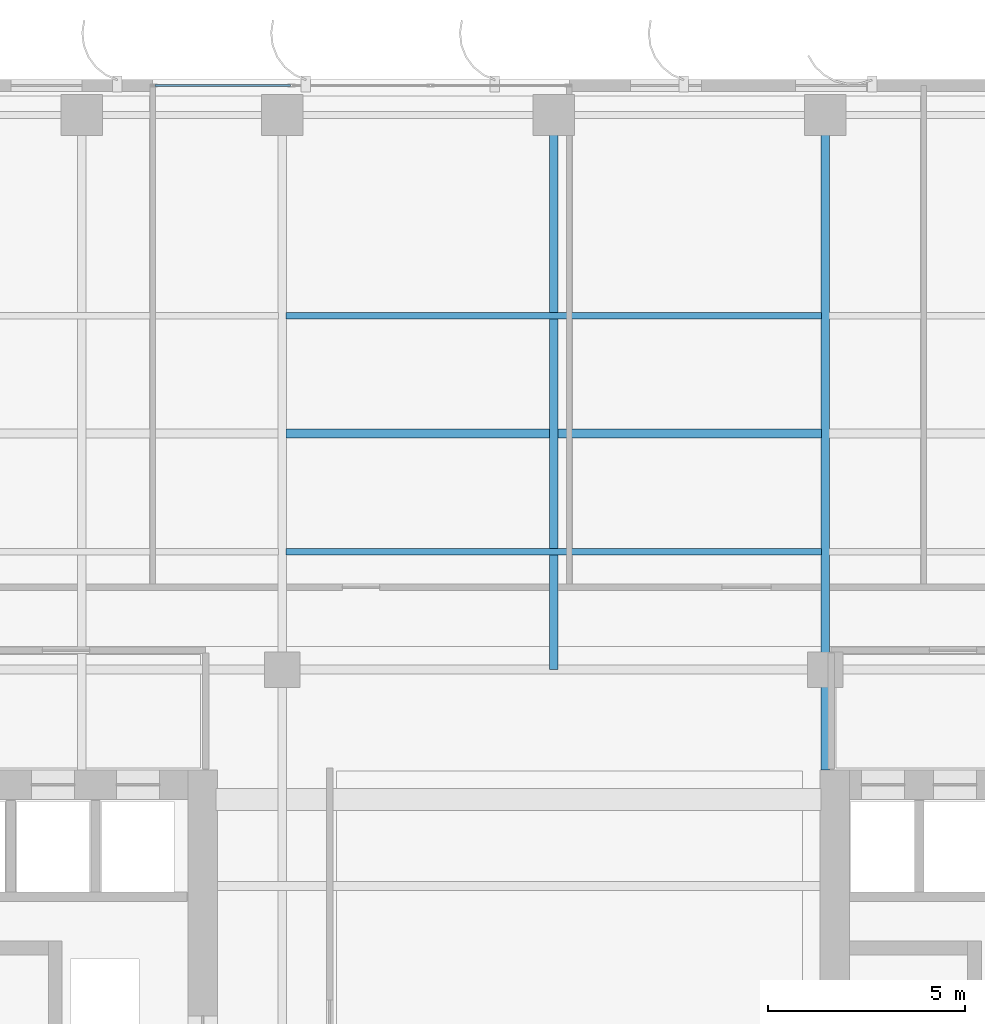
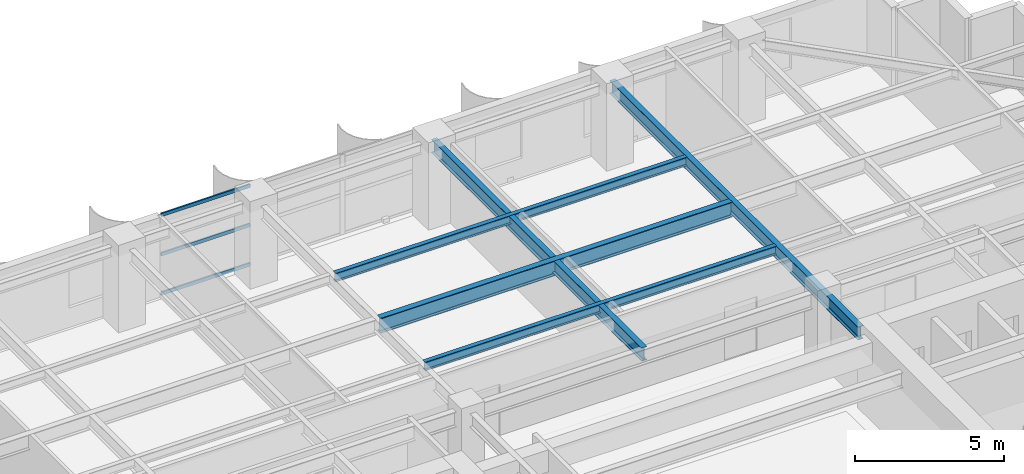
# One storey, part 17 of 28: 5 beams, 3 members, 1 element without a shape of its own.
"""IFC4 building model written with IfcOpenShell, lengths in metres."""

import ifcopenshell
import ifcopenshell.guid

model = None  # the IFC model being written
_history = None  # IfcOwnerHistory: only IFC2X3 demands one
_inside = {}  # id of a spatial element -> (the spatial element, [elements in it])
_under = {}  # id of a project, library or spatial element -> (it, [spatial elements below it])
_declared = {}  # id of a project -> (the project, [libraries it declares])
_typed = {}  # id of a type object -> (the type object, [elements of that type])
_made_of = {}  # id of a material, layer set ... -> (it, [elements and type objects made of it])


def new_model(schema):
    """Start an empty IFC model of exactly this schema.

    Asked for "IFC4X3", IfcOpenShell would pick the latest addendum, in which some entities
    have other attributes; the version numbers below select the first issue.
    IFC2X3 requires an IfcOwnerHistory on every rooted entity: one is made here for all.
    """
    global model, _history
    if schema == "IFC4X3":
        model = ifcopenshell.file(schema_version=(4, 3, 0, 0))
    else:
        model = ifcopenshell.file(schema=schema)
    _inside.clear()
    _under.clear()
    _declared.clear()
    _typed.clear()
    _made_of.clear()
    _history = None
    if model.schema == "IFC2X3":
        org = make("IfcOrganization", Name="unknown")
        user = make(
            "IfcPersonAndOrganization",
            ThePerson=make("IfcPerson", FamilyName="unknown"),
            TheOrganization=org,
        )
        app = make(
            "IfcApplication",
            ApplicationDeveloper=org,
            Version="unknown",
            ApplicationFullName="unknown",
            ApplicationIdentifier="unknown",
        )
        _history = make(
            "IfcOwnerHistory",
            OwningUser=user,
            OwningApplication=app,
            ChangeAction="ADDED",
            CreationDate=0,
        )
    return model


def make(cls, **values):
    """One entity of the class cls with the attributes given. An attribute that is None is left unset."""
    return model.create_entity(
        cls, **{name: value for name, value in values.items() if value is not None}
    )


def rooted(cls, **values):
    """An entity with a GlobalId (a new one), such as an element, a storey or a relation."""
    return make(cls, GlobalId=ifcopenshell.guid.new(), OwnerHistory=_history, **values)


def si_unit(unit_type, name, prefix=None):
    """IfcSIUnit, for example si_unit("LENGTHUNIT", "METRE", prefix="MILLI")."""
    return make("IfcSIUnit", UnitType=unit_type, Prefix=prefix, Name=name)


def assignment(units):
    """IfcUnitAssignment: the units of a project."""
    return None if units is None else make("IfcUnitAssignment", Units=units)


def point(xyz):
    """IfcCartesianPoint."""
    return None if xyz is None else make("IfcCartesianPoint", Coordinates=xyz)


def direction(xyz):
    """IfcDirection."""
    return None if xyz is None else make("IfcDirection", DirectionRatios=xyz)


def frame(location, z_axis=None, x_axis=None):
    """IfcAxis2Placement3D, a coordinate frame: its origin and axes. An axis left out is left unset."""
    return make(
        "IfcAxis2Placement3D",
        Location=point(location),
        Axis=direction(z_axis),
        RefDirection=direction(x_axis),
    )


def frame_2d(location, x_axis=None):
    """IfcAxis2Placement2D, a coordinate frame in the plane: its origin and x axis."""
    return make(
        "IfcAxis2Placement2D", Location=point(location), RefDirection=direction(x_axis)
    )


def origin():
    """The frame at (0, 0, 0) with its axes left unset."""
    return frame((0.0, 0.0, 0.0))


def origin_2d():
    """The frame at (0, 0) in the plane with its x axis left unset."""
    return frame_2d((0.0, 0.0))


def place(relative_to, where):
    """IfcLocalPlacement: puts the frame where relative to a parent placement (None: the world)."""
    return make(
        "IfcLocalPlacement", PlacementRelTo=relative_to, RelativePlacement=where
    )


def context(
    kind, dimensions, precision=None, world=None, true_north=None, identifier=None
):
    """IfcGeometricRepresentationContext, for example the 3D "Model" context."""
    return make(
        "IfcGeometricRepresentationContext",
        ContextIdentifier=identifier,
        ContextType=kind,
        CoordinateSpaceDimension=dimensions,
        Precision=precision,
        WorldCoordinateSystem=world,
        TrueNorth=true_north,
    )


def subcontext(parent, identifier, kind, view, scale=None):
    """IfcGeometricRepresentationSubContext, for example "Body" below "Model"."""
    return make(
        "IfcGeometricRepresentationSubContext",
        ContextIdentifier=identifier,
        ContextType=kind,
        ParentContext=parent,
        TargetScale=scale,
        TargetView=view,
    )


def project(units=None, contexts=None):
    """IfcProject with its units and contexts."""
    return rooted(
        "IfcProject",
        Name="project",
        RepresentationContexts=contexts,
        UnitsInContext=assignment(units),
    )


def spatial(cls, under=None, at=None, **own):
    """A site, building, storey or space (cls), placed at a placement, below another one or the project."""
    s = rooted(cls, ObjectPlacement=at, **own)
    if under is not None:
        _under.setdefault(under.id(), (under, []))[1].append(s)
    return s


def profile(cls, at=None, kind="AREA", **sizes):
    """A parametric profile (cls). Its sizes go by their IFC names, for example OverallWidth=200.0."""
    return make(cls, ProfileType=kind, Position=at, **sizes)


def hollow_rectangle(**sizes):
    """IfcRectangleHollowProfileDef."""
    return profile("IfcRectangleHollowProfileDef", **sizes)


def i_section(**sizes):
    """IfcIShapeProfileDef."""
    return profile("IfcIShapeProfileDef", **sizes)


def extrude(swept, where, along, depth):
    """IfcExtrudedAreaSolid: the profile swept, set in the frame where, extruded along a direction by depth."""
    return make(
        "IfcExtrudedAreaSolid",
        SweptArea=swept,
        Position=where,
        ExtrudedDirection=direction(along),
        Depth=depth,
    )


def shape(context_of_items, identifier, shape_type, items):
    """IfcShapeRepresentation: the items that make up one representation, for example the "Body"."""
    return make(
        "IfcShapeRepresentation",
        ContextOfItems=context_of_items,
        RepresentationIdentifier=identifier,
        RepresentationType=shape_type,
        Items=items,
    )


def source(mapping_origin, context_of_items, identifier, shape_type, items):
    """IfcRepresentationMap: a shape defined once, which mapped items show again and again."""
    return make(
        "IfcRepresentationMap",
        MappingOrigin=mapping_origin,
        MappedRepresentation=shape(context_of_items, identifier, shape_type, items),
    )


def transform(
    local_origin,
    x_axis=None,
    y_axis=None,
    z_axis=None,
    scale=None,
    scale2=None,
    scale3=None,
    uniform=True,
):
    """IfcCartesianTransformationOperator3D, or its non-uniform kind. x_axis, y_axis, z_axis: its Axis1, 2, 3."""
    if uniform:
        return make(
            "IfcCartesianTransformationOperator3D",
            Axis1=direction(x_axis),
            Axis2=direction(y_axis),
            LocalOrigin=point(local_origin),
            Scale=scale,
            Axis3=direction(z_axis),
        )
    return make(
        "IfcCartesianTransformationOperator3DnonUniform",
        Axis1=direction(x_axis),
        Axis2=direction(y_axis),
        LocalOrigin=point(local_origin),
        Scale=scale,
        Axis3=direction(z_axis),
        Scale2=scale2,
        Scale3=scale3,
    )


def mapped(mapping_source, mapping_target):
    """IfcMappedItem: shows the shape of a source again, moved by a transform."""
    return make(
        "IfcMappedItem", MappingSource=mapping_source, MappingTarget=mapping_target
    )


def material(Name=None, Category=None):
    """IfcMaterial."""
    return make("IfcMaterial", Name=Name, Category=Category)


def layer(
    of_material, thickness, ventilated=None, Name=None, Category=None, Priority=None
):
    """IfcMaterialLayer: one layer of a wall or slab, of a material (None: an air gap)."""
    return make(
        "IfcMaterialLayer",
        Material=of_material,
        LayerThickness=thickness,
        IsVentilated=ventilated,
        Name=Name,
        Category=Category,
        Priority=Priority,
    )


def layer_set(layers, Name=None):
    """IfcMaterialLayerSet."""
    return make("IfcMaterialLayerSet", MaterialLayers=layers, LayerSetName=Name)


def material_profile(
    of_material, cross_section, Name=None, Category=None, Priority=None
):
    """IfcMaterialProfile: a cross section and its material."""
    return make(
        "IfcMaterialProfile",
        Name=Name,
        Material=of_material,
        Profile=cross_section,
        Priority=Priority,
        Category=Category,
    )


def profile_set(profiles, Name=None, composite=None):
    """IfcMaterialProfileSet."""
    return make(
        "IfcMaterialProfileSet",
        Name=Name,
        MaterialProfiles=profiles,
        CompositeProfile=composite,
    )


def made_of(thing, what):
    """Note that an element or type object is made of a material, layer set ...; save() writes the relation."""
    if what is not None:
        _made_of.setdefault(what.id(), (what, []))[1].append(thing)
    return thing


def type_object(cls, material=None, **own):
    """A type object (cls), such as IfcWallType, which elements share."""
    return made_of(rooted(cls, **own), material)


def element(
    cls,
    number,
    at=None,
    inside=None,
    cuts=None,
    type_object=None,
    material=None,
    context=None,
    identifier="Body",
    shape_type=None,
    held_by="IfcProductDefinitionShape",
    body=None,
    shapes=None,
    **own,
):
    """One element of the class cls, such as IfcWall. Its Tag is "e" and its number.

    at: its placement. inside: the storey or other place that contains it. cuts: it is an
    opening in that element (IfcRelVoidsElement). A single representation is given by context,
    identifier, shape_type and body (its items); several are given by shapes. held_by: the class
    of the entity that holds the representations. save() writes the other relations.
    """
    e = rooted(cls, Tag="e%d" % number, ObjectPlacement=at, **own)
    if body is not None:
        shapes = [shape(context, identifier, shape_type, body)]
    if shapes is not None:
        e.Representation = make(held_by, Representations=shapes)
    if inside is not None:
        _inside.setdefault(inside.id(), (inside, []))[1].append(e)
    if cuts is not None:
        rooted(
            "IfcRelVoidsElement", RelatingBuildingElement=cuts, RelatedOpeningElement=e
        )
    if type_object is not None:
        _typed.setdefault(type_object.id(), (type_object, []))[1].append(e)
    return made_of(e, material)


def aggregate(whole, parts):
    """IfcRelAggregates: a whole, such as a stair, and the parts it consists of."""
    return rooted("IfcRelAggregates", RelatingObject=whole, RelatedObjects=parts)


def save(model, path):
    """Write the relations noted so far, then the file.

    IfcRelAggregates (storeys below a building ...), IfcRelContainedInSpatialStructure (elements
    in a storey), IfcRelDefinesByType, IfcRelAssociatesMaterial and IfcRelDeclares: one each for
    every whole, place, type object, material and project.
    """
    for whole, parts in _under.values():
        aggregate(whole, parts)
    for where, things in _inside.values():
        rooted(
            "IfcRelContainedInSpatialStructure",
            RelatedElements=things,
            RelatingStructure=where,
        )
    for kind, things in _typed.values():
        rooted("IfcRelDefinesByType", RelatedObjects=things, RelatingType=kind)
    for what, things in _made_of.values():
        rooted("IfcRelAssociatesMaterial", RelatedObjects=things, RelatingMaterial=what)
    for by, libraries in _declared.values():
        rooted("IfcRelDeclares", RelatingContext=by, RelatedDefinitions=libraries)
    model.write(path)


model = new_model("IFC4")

# Units and contexts
model_context = context("Model", 3, precision=1e-05, world=origin(), true_north=direction((0.0, 1.0)))
body_context = subcontext(model_context, "Body", "Model", "MODEL_VIEW")
ifc_project = project(units=[si_unit("LENGTHUNIT", "METRE"), si_unit("AREAUNIT", "SQUARE_METRE"), si_unit("VOLUMEUNIT", "CUBIC_METRE"), si_unit("PLANEANGLEUNIT", "RADIAN"), si_unit("MASSUNIT", "GRAM", prefix="KILO")], contexts=[model_context])

# Site, building, storey
site_placement = place(None, origin())
site = spatial("IfcSite", under=ifc_project, at=site_placement, CompositionType="ELEMENT")
building_placement = place(site_placement, origin())
building = spatial("IfcBuilding", under=site, at=building_placement, Name="Khoralis Quay Care Tower", CompositionType="ELEMENT")
storey_placement = place(building_placement, frame((0.0, 0.0, 144.89990234375)))
storey = spatial("IfcBuildingStorey", under=building, at=storey_placement, Name="L38", CompositionType="ELEMENT", Elevation=144.89990234375)

# Beams
ifc_material_1 = material(Name="Steel S355", Category="steel")
ifc_material_profile_1 = material_profile(ifc_material_1, i_section(OverallWidth=0.22998046875, OverallDepth=0.616943359375, WebThickness=0.01318359375, FlangeThickness=0.022216796875, FilletRadius=0.01806640625, at=origin_2d()), Name="Steel S355")
ifc_profile_set_1 = profile_set([ifc_material_profile_1], Name="Steel S355")
beam_type_1 = type_object("IfcBeamType", Name="BM-W610X140", PredefinedType="BEAM", material=ifc_profile_set_1)
shared_shape_1 = source(origin(), body_context, "Body", "SweptSolid", [
    extrude(i_section(OverallWidth=0.22998046875, OverallDepth=0.616943359375, WebThickness=0.01318359375, FlangeThickness=0.022216796875, FilletRadius=0.01806640625, at=origin_2d()), origin(), (0.0, 0.0, 1.0), 13.61181640625),
])
beam_1_placement = place(storey_placement, frame((17.194091796875, 36.0, 2.9716796875), z_axis=(1.0, 0.0, 0.0), x_axis=(0.0, 1.0, 0.0)))
element("IfcBeam", 1, at=beam_1_placement, inside=storey, type_object=beam_type_1, Name="BM-TGCC-L38-360", PredefinedType="BEAM", context=body_context, shape_type="MappedRepresentation", body=[
    mapped(shared_shape_1, transform((0.0, 0.0, 0.0), scale=1.0)),
])
ifc_material_profile_2 = material_profile(ifc_material_1, i_section(OverallWidth=0.2119140625, OverallDepth=0.5439453125, WebThickness=0.01318359375, FlangeThickness=0.021240234375, FilletRadius=0.01611328125, at=origin_2d()), Name="Steel S355")
ifc_profile_set_2 = profile_set([ifc_material_profile_2], Name="Steel S355")
beam_type_2 = type_object("IfcBeamType", Name="BM-W530X123", PredefinedType="BEAM", material=ifc_profile_set_2)
shared_shape_2 = source(origin(), body_context, "Body", "SweptSolid", [
    extrude(i_section(OverallWidth=0.2119140625, OverallDepth=0.5439453125, WebThickness=0.01318359375, FlangeThickness=0.021240234375, FilletRadius=0.01611328125, at=origin_2d()), origin(), (0.0, 0.0, 1.0), 14.10009765625),
])
beam_2_placement = place(storey_placement, frame((24.0, 30.0, 3.008056640625), z_axis=(0.0, 1.0, 0.0), x_axis=(-1.0, 0.0, 0.0)))
element("IfcBeam", 2, at=beam_2_placement, inside=storey, type_object=beam_type_2, Name="BM-TGYN-L38-240", PredefinedType="BEAM", context=body_context, shape_type="MappedRepresentation", body=[
    mapped(shared_shape_2, transform((0.0, 0.0, 0.0), scale=1.0)),
])
shared_shape_3 = source(origin(), body_context, "Body", "SweptSolid", [
    extrude(i_section(OverallWidth=0.2119140625, OverallDepth=0.5439453125, WebThickness=0.01318359375, FlangeThickness=0.021240234375, FilletRadius=0.01611328125, at=origin_2d()), origin(), (0.0, 0.0, 1.0), 16.652099609375),
])
beam_3_placement = place(storey_placement, frame((30.89990234375, 27.447998046875, 3.008056640625), z_axis=(0.0, 1.0, 0.0), x_axis=(-1.0, 0.0, 0.0)))
element("IfcBeam", 3, at=beam_3_placement, inside=storey, type_object=beam_type_2, Name="BM-TGYN-L38-309", PredefinedType="BEAM", context=body_context, shape_type="MappedRepresentation", body=[
    mapped(shared_shape_3, transform((0.0, 0.0, 0.0), scale=1.0)),
])
ifc_material_profile_3 = material_profile(ifc_material_1, i_section(OverallWidth=0.1708984375, OverallDepth=0.35498046875, WebThickness=0.007080078125, FlangeThickness=0.01171875, FilletRadius=0.012939453125, at=origin_2d()), Name="Steel S355")
ifc_profile_set_3 = profile_set([ifc_material_profile_3], Name="Steel S355")
beam_type_3 = type_object("IfcBeamType", Name="BM-W360X51", PredefinedType="JOIST", material=ifc_profile_set_3)
shared_shape_4 = source(origin(), body_context, "Body", "SweptSolid", [
    extrude(i_section(OverallWidth=0.1708984375, OverallDepth=0.35498046875, WebThickness=0.007080078125, FlangeThickness=0.01171875, FilletRadius=0.012939453125, at=origin_2d()), origin(), (0.0, 0.0, 1.0), 13.61181640625),
])
for number, where, z_axis, x_axis, name in (
    (4, (17.194091796875, 33.0, 3.1025390625), (1.0, 0.0, 0.0), (0.0, 1.0, 0.0), "BM-TJS-L38-30"),
    (5, (17.194091796875, 39.0, 3.1025390625), (1.0, 0.0, 0.0), (0.0, 1.0, 0.0), "BM-TJS-L38-33"),
):
    element("IfcBeam", number, at=place(storey_placement, frame(where, z_axis=z_axis, x_axis=x_axis)), inside=storey, type_object=beam_type_3, Name=name, PredefinedType="JOIST", context=body_context, shape_type="MappedRepresentation", body=[
        mapped(shared_shape_4, transform((0.0, 0.0, 0.0), scale=1.0)),
    ])

# Curtain wall, members
ifc_material_2 = material(Name="Pale anodised aluminium", Category="aluminium")
ifc_layer = layer(ifc_material_2, 0.169921875)
ifc_layer_set = layer_set([ifc_layer], Name="Pale anodised aluminium")
curtain_wall_type = type_object("IfcCurtainWallType", Name="CW-SYS-Z2", PredefinedType="NOTDEFINED", material=ifc_layer_set)
curtain_wall_placement = place(storey_placement, origin())
curtain_wall = element("IfcCurtainWall", 6, at=curtain_wall_placement, inside=storey, type_object=curtain_wall_type, Name="L38 Unitised Curtain Wall CW-L38-P1-E10", PredefinedType="NOTDEFINED")
ifc_material_profile_4 = material_profile(ifc_material_2, hollow_rectangle(XDim=0.06005859375, YDim=0.139892578125, WallThickness=0.00390625, at=origin_2d()), Name="Pale anodised aluminium")
ifc_profile_set_4 = profile_set([ifc_material_profile_4], Name="Pale anodised aluminium")
member_type = type_object("IfcMemberType", Name="CW-TRN-140", PredefinedType="USERDEFINED", material=ifc_profile_set_4)
shared_shape_5 = source(origin(), body_context, "Body", "SweptSolid", [
    extrude(hollow_rectangle(XDim=0.06005859375, YDim=0.139892578125, WallThickness=0.00390625, at=origin_2d()), origin(), (0.0, 0.0, 1.0), 3.443115234375),
])
member_1_placement = place(storey_placement, frame((17.30322265625, 44.85009765625, 0.030029296875), z_axis=(-1.0, 0.0, 0.0), x_axis=(0.0, -1.0, 0.0)))
member_1 = element("IfcMember", 7, at=member_1_placement, type_object=member_type, Name="CW2 transom 3.1", ObjectType="TRANSOM", PredefinedType="USERDEFINED", context=body_context, shape_type="MappedRepresentation", body=[
    mapped(shared_shape_5, transform((0.0, 0.0, 0.0), scale=1.0)),
])
member_2_placement = place(storey_placement, frame((17.30322265625, 44.85009765625, 1.64013671875), z_axis=(-1.0, 0.0, 0.0), x_axis=(0.0, -1.0, 0.0)))
member_2 = element("IfcMember", 8, at=member_2_placement, type_object=member_type, Name="CW2 transom 3.2", ObjectType="TRANSOM", PredefinedType="USERDEFINED", context=body_context, shape_type="MappedRepresentation", body=[
    mapped(shared_shape_5, transform((0.0, 0.0, 0.0), scale=1.0)),
])
member_3_placement = place(storey_placement, frame((17.30322265625, 44.85009765625, 3.25), z_axis=(-1.0, 0.0, 0.0), x_axis=(0.0, -1.0, 0.0)))
member_3 = element("IfcMember", 9, at=member_3_placement, type_object=member_type, Name="CW2 transom 3.3", ObjectType="TRANSOM", PredefinedType="USERDEFINED", context=body_context, shape_type="MappedRepresentation", body=[
    mapped(shared_shape_5, transform((0.0, 0.0, 0.0), scale=1.0)),
])
aggregate(curtain_wall, [member_1, member_2, member_3])

save(model, "model.ifc")
